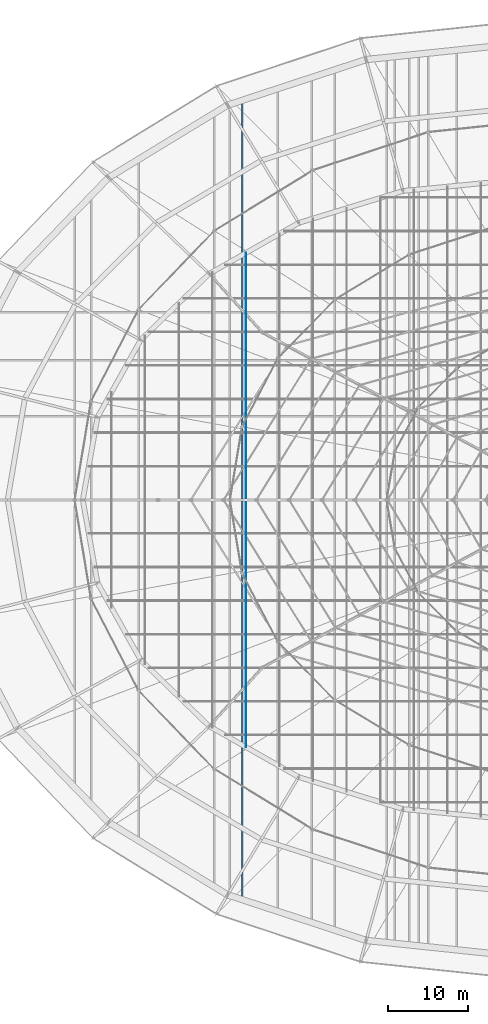
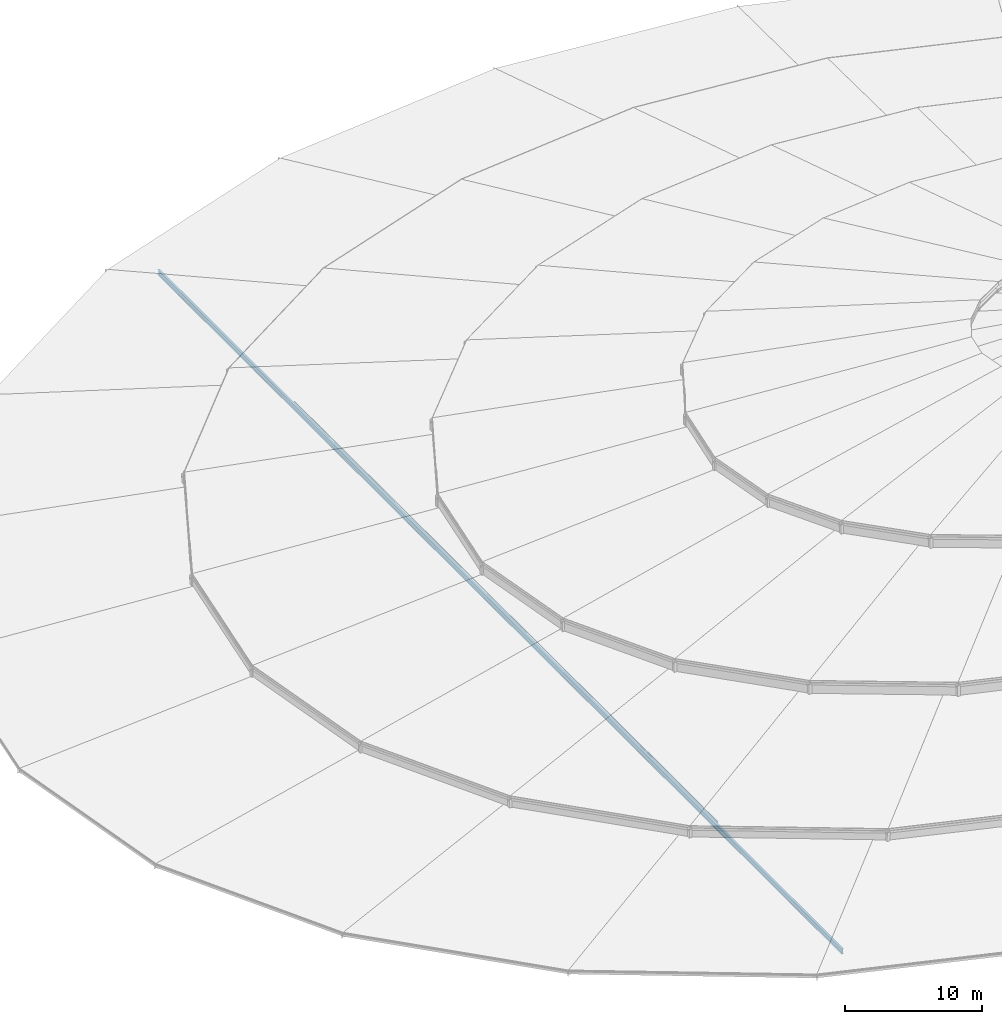
# One storey, part 18 of 184: 2 members.
"""IFC4 building model written with IfcOpenShell, lengths in metres."""

from ifc_helpers import new_model, si_unit, direction, frame, origin, origin_2d, place, context, subcontext, project, spatial, circle, i_section, extrude, material, material_profile, profile_set, type_object, element, save


model = new_model("IFC4")

# Units and contexts
model_context = context("Model", 3, precision=1e-05, world=origin(), true_north=direction((0.0, 1.0)))
body_context = subcontext(model_context, "Body", "Model", "MODEL_VIEW")
ifc_project = project(units=[si_unit("LENGTHUNIT", "METRE"), si_unit("AREAUNIT", "SQUARE_METRE"), si_unit("VOLUMEUNIT", "CUBIC_METRE"), si_unit("PLANEANGLEUNIT", "RADIAN"), si_unit("MASSUNIT", "GRAM", prefix="KILO")], contexts=[model_context])

# Site, building, storey
site_placement = place(None, origin())
site = spatial("IfcSite", under=ifc_project, at=site_placement, CompositionType="ELEMENT")
building_placement = place(site_placement, origin())
building = spatial("IfcBuilding", under=site, at=building_placement, Name="Kalgoora Escarpment Arena", CompositionType="ELEMENT")
storey_placement = place(building_placement, frame((0.0, 0.0, 27.60009765625)))
storey = spatial("IfcBuildingStorey", under=building, at=storey_placement, Name="Roof Level", CompositionType="ELEMENT", Elevation=27.60009765625)

# Members
ifc_material_1 = material(Name="High-tensile spiral strand steel Grade 450 (350 MPa)", Category="steel")
ifc_material_profile_1 = material_profile(ifc_material_1, circle(Radius=0.028076171875, at=origin_2d()))
ifc_profile_set_1 = profile_set([ifc_material_profile_1], Name="High-tensile spiral strand steel Grade 450 (350 MPa)")
member_type_1 = type_object("IfcMemberType", Name="MEM-CABLE-56", PredefinedType="USERDEFINED", material=ifc_profile_set_1)
member_1_placement = place(storey_placement, frame((58.800048828125, 33.1103515625, -1.190185546875), z_axis=(0.0, 1.0, 0.0), x_axis=(-1.0, 0.0, 0.0)))
element("IfcMember", 1, at=member_1_placement, inside=storey, type_object=member_type_1, Name="Roof saddle pretensioning cable Y-23", ObjectType="CABLE", PredefinedType="USERDEFINED", context=body_context, shape_type="SweptSolid", body=[
    extrude(circle(Radius=0.028076171875, at=origin_2d()), origin(), (0.0, 0.0, 1.0), 61.779296875),
])
ifc_material_2 = material(Name="Structural steel AS/NZS 3679 (300 MPa)", Category="steel")
ifc_material_profile_2 = material_profile(ifc_material_2, i_section(OverallWidth=0.19091796875, OverallDepth=0.4599609375, WebThickness=0.010009765625, FlangeThickness=0.01611328125, at=origin_2d()))
ifc_profile_set_2 = profile_set([ifc_material_profile_2], Name="Structural steel AS/NZS 3679 (300 MPa)")
member_type_2 = type_object("IfcMemberType", Name="MEM-CARRIER-CHORD", PredefinedType="CHORD", material=ifc_profile_set_2)
member_2_placement = place(storey_placement, frame((58.326416015625, 14.035888671875, -1.02001953125), z_axis=(0.0, 1.0, 0.0), x_axis=(-1.0, 0.0, 0.0)))
element("IfcMember", 2, at=member_2_placement, inside=storey, type_object=member_type_2, Name="Petal RP3 spanning carrier chord C12", PredefinedType="CHORD", context=body_context, shape_type="SweptSolid", body=[
    extrude(i_section(OverallWidth=0.19091796875, OverallDepth=0.4599609375, WebThickness=0.010009765625, FlangeThickness=0.01611328125, at=origin_2d()), origin(), (0.0, 0.0, 1.0), 99.92822265625),
])

save(model, "model.ifc")
